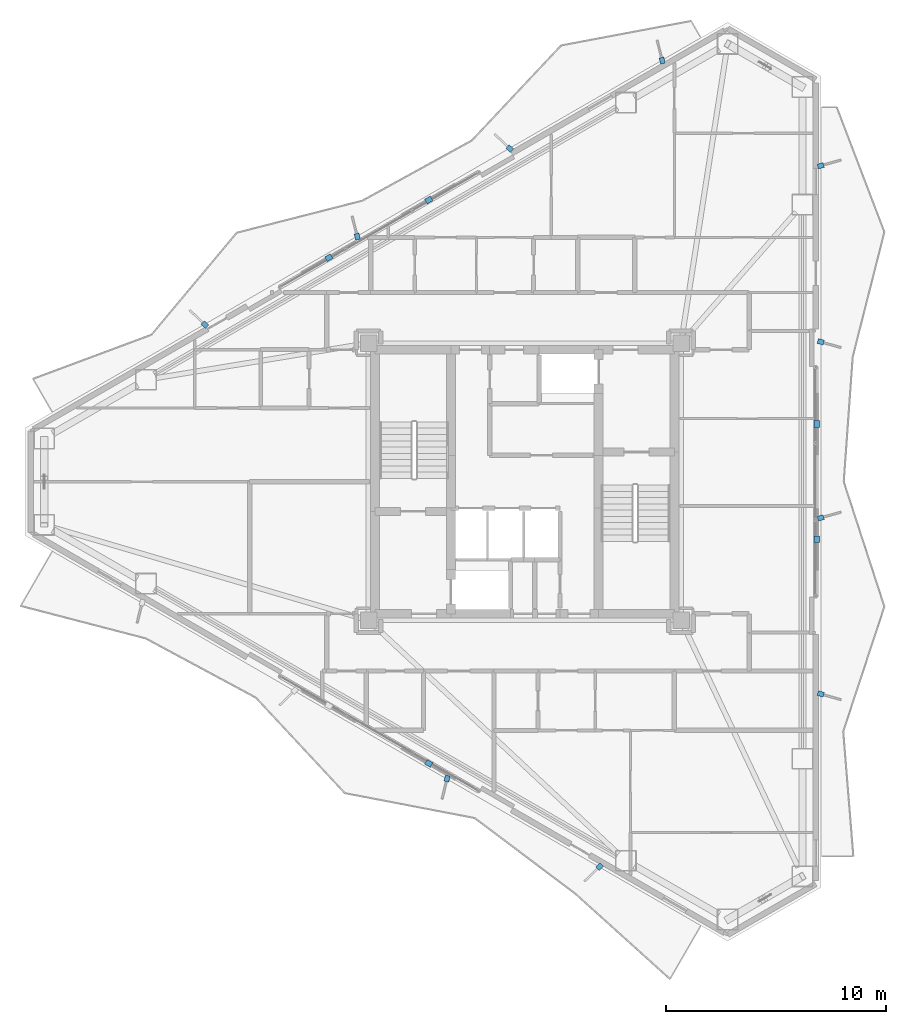
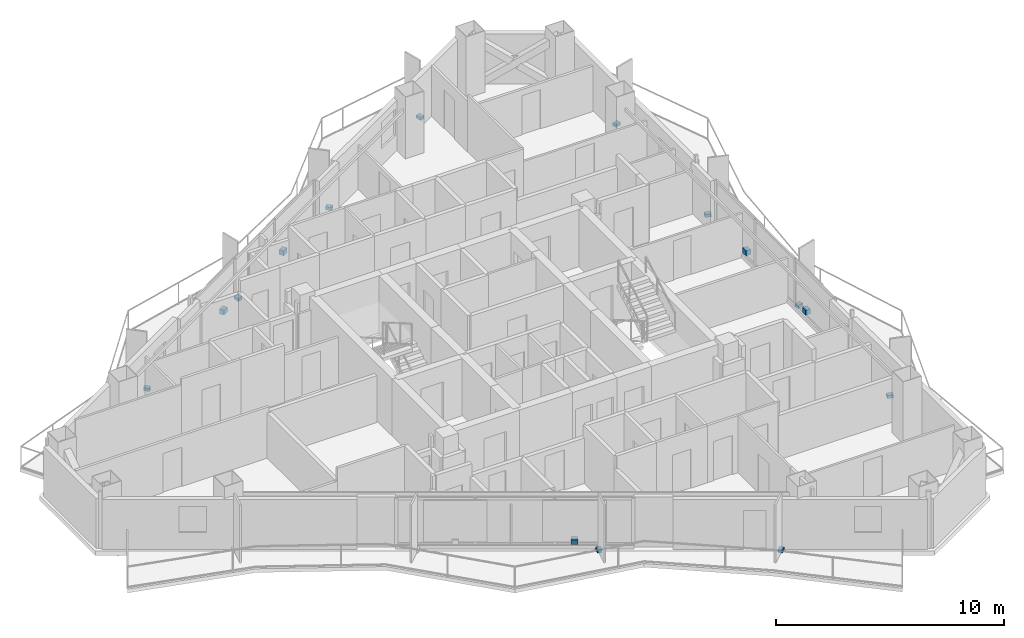
# One storey, part 17 of 19: 15 discrete accessories.
"""IFC4 building model written with IfcOpenShell, lengths in metres."""

from ifc_helpers import new_model, si_unit, direction, frame, origin, origin_2d, place, context, subcontext, project, spatial, rectangle, extrude, material, layer, layer_set, type_object, element, save


model = new_model("IFC4")

# Units and contexts
model_context = context("Model", 3, precision=1e-05, world=origin(), true_north=direction((0.0, 1.0)))
body_context = subcontext(model_context, "Body", "Model", "MODEL_VIEW")
ifc_project = project(units=[si_unit("LENGTHUNIT", "METRE"), si_unit("AREAUNIT", "SQUARE_METRE"), si_unit("VOLUMEUNIT", "CUBIC_METRE"), si_unit("PLANEANGLEUNIT", "RADIAN"), si_unit("MASSUNIT", "GRAM", prefix="KILO")], contexts=[model_context])

# Site, building, storey
site_placement = place(None, origin())
site = spatial("IfcSite", under=ifc_project, at=site_placement, CompositionType="ELEMENT")
building_placement = place(site_placement, origin())
building = spatial("IfcBuilding", under=site, at=building_placement, Name="Mersakhor Tower and Convention Hall", CompositionType="ELEMENT")
storey_placement = place(building_placement, frame((0.0, 0.0, 131.10009765625)))
storey = spatial("IfcBuildingStorey", under=building, at=storey_placement, Name="L36", CompositionType="ELEMENT", Elevation=131.10009765625)

# Discrete accessories
ifc_material = material(Name="Galvanised steel bracket", Category="steel")
ifc_layer = layer(ifc_material, 0.02001953125)
ifc_layer_set = layer_set([ifc_layer], Name="Galvanised steel bracket")
discrete_accessory_type = type_object("IfcDiscreteAccessoryType", Name="ACC-BRK-STL", PredefinedType="BRACKET", material=ifc_layer_set)
for number, where, z_axis, x_axis, name in (
    (1, (20.09521484375, 36.9306640625, 0.2900390625), (0.0, 0.0, 1.0), (0.866025403784, 0.5, 0.0), "L36 Solar Screen Outrigger Bracket BRK-1-1"),
    (2, (24.6357421875, 39.55224609375, 0.2900390625), (0.0, 0.0, 1.0), (0.866025403784, 0.5, 0.0), "L36 Solar Screen Outrigger Bracket BRK-1-2"),
):
    element("IfcDiscreteAccessory", number, at=place(storey_placement, frame(where, z_axis=z_axis, x_axis=x_axis)), inside=storey, type_object=discrete_accessory_type, Name=name, PredefinedType="BRACKET", context=body_context, shape_type="SweptSolid", body=[
        extrude(rectangle(XDim=0.300048828125, YDim=0.239990234375, at=origin_2d()), origin(), (0.0, 0.0, 1.0), 0.260009765625),
    ])
for number, where, z_axis, x_axis, name in (
    (3, (14.4609375, 33.8857421875, -0.02001953125), (0.0, 0.0, 1.0), (-0.719339800339, 0.694658370459, 0.0), "L36 Facade Fin Base Cleat Bracket FBRK-1-1"),
    (4, (21.38916015625, 37.8857421875, -0.02001953125), (0.0, 0.0, 1.0), (-0.2419218956, 0.970295726276, 0.0), "L36 Facade Fin Base Cleat Bracket FBRK-1-2"),
    (5, (28.3173828125, 41.885498046875, -0.02001953125), (0.0, 0.0, 1.0), (-0.719339800339, 0.694658370459, 0.0), "L36 Facade Fin Base Cleat Bracket FBRK-1-3"),
    (6, (35.24560546875, 45.885498046875, -0.02001953125), (0.0, 0.0, 1.0), (-0.2419218956, 0.970295726276, 0.0), "L36 Facade Fin Base Cleat Bracket FBRK-1-4"),
):
    element("IfcDiscreteAccessory", number, at=place(storey_placement, frame(where, z_axis=z_axis, x_axis=x_axis)), inside=storey, type_object=discrete_accessory_type, Name=name, PredefinedType="BRACKET", context=body_context, shape_type="SweptSolid", body=[
        extrude(rectangle(XDim=0.280029296875, YDim=0.219970703125, at=origin_2d()), origin(), (0.0, 0.0, 1.0), 0.159912109375),
    ])
for number, where, z_axis, x_axis, name in (
    (7, (42.269287109375, 29.37158203125, 0.2900390625), (0.0, 0.0, 1.0), (0.0, -1.0, 0.0), "L36 Solar Screen Outrigger Bracket BRK-2-1"),
    (8, (42.269287109375, 24.12841796875, 0.2900390625), (0.0, 0.0, 1.0), (0.0, -1.0, 0.0), "L36 Solar Screen Outrigger Bracket BRK-2-2"),
):
    element("IfcDiscreteAccessory", number, at=place(storey_placement, frame(where, z_axis=z_axis, x_axis=x_axis)), inside=storey, type_object=discrete_accessory_type, Name=name, PredefinedType="BRACKET", context=body_context, shape_type="SweptSolid", body=[
        extrude(rectangle(XDim=0.300048828125, YDim=0.239990234375, at=origin_2d()), origin(), (0.0, 0.0, 1.0), 0.260009765625),
    ])
for number, where, z_axis, x_axis, name in (
    (9, (42.44921875, 41.106689453125, -0.02001953125), (0.0, 0.0, 1.0), (0.961261695938, 0.275637355817, 0.0), "L36 Facade Fin Base Cleat Bracket FBRK-2-1"),
    (10, (42.44921875, 33.106689453125, -0.02001953125), (0.0, 0.0, 1.0), (0.961261695938, -0.275637355817, 0.0), "L36 Facade Fin Base Cleat Bracket FBRK-2-2"),
    (11, (42.44921875, 25.106689453125, -0.02001953125), (0.0, 0.0, 1.0), (0.961261695938, 0.275637355817, 0.0), "L36 Facade Fin Base Cleat Bracket FBRK-2-3"),
    (12, (42.44921875, 17.106689453125, -0.02001953125), (0.0, 0.0, 1.0), (0.961261695938, -0.275637355817, 0.0), "L36 Facade Fin Base Cleat Bracket FBRK-2-4"),
):
    element("IfcDiscreteAccessory", number, at=place(storey_placement, frame(where, z_axis=z_axis, x_axis=x_axis)), inside=storey, type_object=discrete_accessory_type, Name=name, PredefinedType="BRACKET", context=body_context, shape_type="SweptSolid", body=[
        extrude(rectangle(XDim=0.280029296875, YDim=0.219970703125, at=origin_2d()), origin(), (0.0, 0.0, 1.0), 0.159912109375),
    ])
discrete_accessory_placement = place(storey_placement, frame((24.6357421875, 13.94775390625, 0.2900390625), z_axis=(0.0, 0.0, 1.0), x_axis=(-0.866025403784, 0.5, 0.0)))
element("IfcDiscreteAccessory", 13, at=discrete_accessory_placement, inside=storey, type_object=discrete_accessory_type, Name="L36 Solar Screen Outrigger Bracket BRK-3-1", PredefinedType="BRACKET", context=body_context, shape_type="SweptSolid", body=[
    extrude(rectangle(XDim=0.300048828125, YDim=0.239990234375, at=origin_2d()), origin(), (0.0, 0.0, 1.0), 0.260009765625),
])
for number, where, z_axis, x_axis, name in (
    (14, (32.3994140625, 9.2578125, -0.02001953125), (0.0, 0.0, 1.0), (-0.719339800339, -0.694658370459, 0.0), "L36 Facade Fin Base Cleat Bracket FBRK-3-1"),
    (15, (25.470947265625, 13.2578125, -0.02001953125), (0.0, 0.0, 1.0), (-0.2419218956, -0.970295726276, 0.0), "L36 Facade Fin Base Cleat Bracket FBRK-3-2"),
):
    element("IfcDiscreteAccessory", number, at=place(storey_placement, frame(where, z_axis=z_axis, x_axis=x_axis)), inside=storey, type_object=discrete_accessory_type, Name=name, PredefinedType="BRACKET", context=body_context, shape_type="SweptSolid", body=[
        extrude(rectangle(XDim=0.280029296875, YDim=0.219970703125, at=origin_2d()), origin(), (0.0, 0.0, 1.0), 0.159912109375),
    ])

save(model, "model.ifc")
